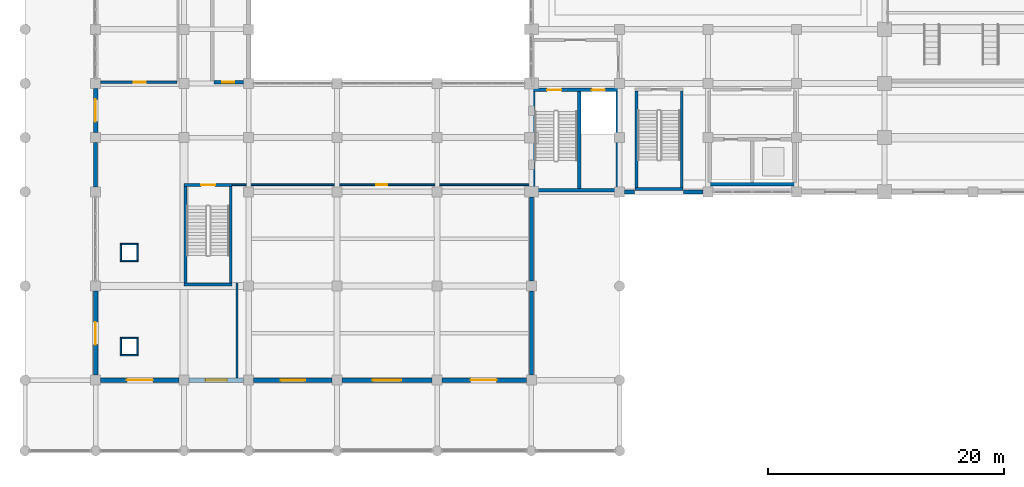
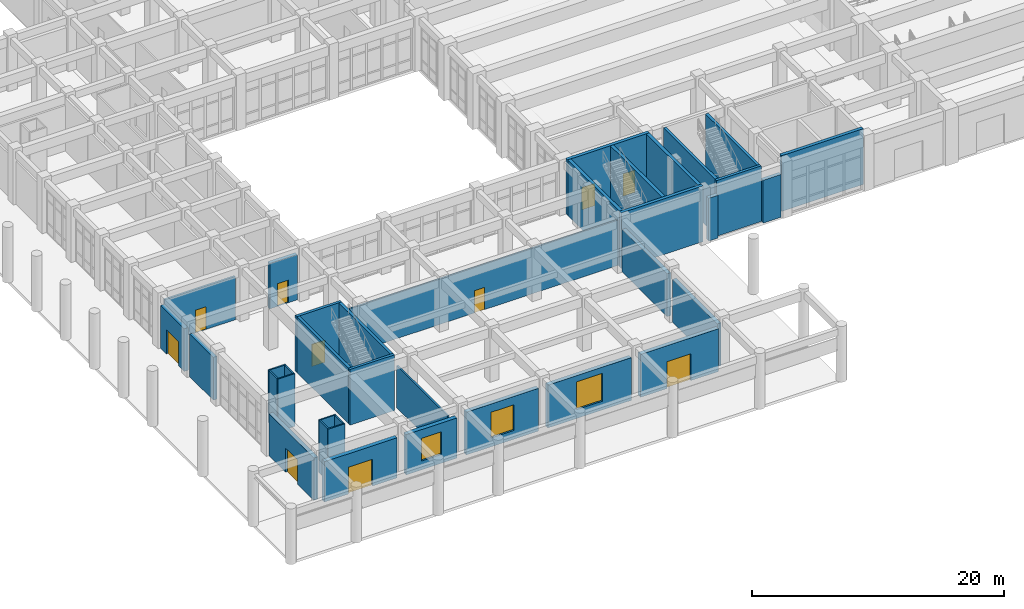
# One storey, part 62 of 84: 37 walls, 10 doors, 3 windows, 13 openings.
"""IFC4 building model written with IfcOpenShell, lengths in metres."""

from ifc_helpers import new_model, si_unit, direction, frame, frame_2d, origin, place, context, subcontext, project, spatial, rectangle, extrude, material, layer, layer_set, type_object, element, fill, save


model = new_model("IFC4")

# Units and contexts
model_context = context("Model", 3, precision=1e-05, world=origin(), true_north=direction((0.0, 1.0)))
body_context = subcontext(model_context, "Body", "Model", "MODEL_VIEW")
ifc_project = project(units=[si_unit("LENGTHUNIT", "METRE"), si_unit("AREAUNIT", "SQUARE_METRE"), si_unit("VOLUMEUNIT", "CUBIC_METRE"), si_unit("PLANEANGLEUNIT", "RADIAN"), si_unit("MASSUNIT", "GRAM", prefix="KILO")], contexts=[model_context])

# Site, building, storey
site_placement = place(None, origin())
site = spatial("IfcSite", under=ifc_project, at=site_placement, CompositionType="ELEMENT")
building_placement = place(site_placement, origin())
building = spatial("IfcBuilding", under=site, at=building_placement, Name="Muzn Square Opera House", CompositionType="ELEMENT")
storey_placement = place(building_placement, origin())
storey = spatial("IfcBuildingStorey", under=building, at=storey_placement, Name="L00", CompositionType="ELEMENT", Elevation=0.0)

# Wall, opening, door
ifc_material_1 = material(Name="Acoustic gypsum stud partition", Category="gypsum")
ifc_layer_1 = layer(ifc_material_1, 0.320068359375, Name="Acoustic gypsum stud partition", Category="gypsum")
ifc_layer_set_1 = layer_set([ifc_layer_1], Name="Acoustic gypsum stud partition")
wall_type_1 = type_object("IfcWallType", Name="Acoustic Studio Double Wall 320mm", PredefinedType="PARTITIONING", material=ifc_layer_set_1)
wall_1_placement = place(storey_placement, frame((16.044921875, 31.300048828125, 0.0), z_axis=(0.0, 0.0, 1.0), x_axis=(1.0, 0.0, 0.0)))
wall_1 = element("IfcWall", 1, at=wall_1_placement, inside=storey, type_object=wall_type_1, Name="Interior Partition PW-L00-0092", PredefinedType="PARTITIONING", context=body_context, shape_type="SweptSolid", body=[
    extrude(rectangle(XDim=2.525146484375, YDim=0.320068359375, at=frame_2d((1.2626953125, 0.0))), origin(), (0.0, 0.0, 1.0), 4.39990234375),
])
opening_1_placement = place(wall_1_placement, frame((0.705078125, 0.0, 0.0)))
opening_1 = element("IfcOpeningElement", 2, at=opening_1_placement, cuts=wall_1, Name="Opening DR-SS10", PredefinedType="OPENING", context=body_context, shape_type="SweptSolid", body=[
    extrude(rectangle(XDim=1.0, YDim=2.199951171875, at=frame_2d((0.5, 1.10009765625))), frame((0.0, 0.169921875, 0.0), z_axis=(0.0, -1.0, 0.0), x_axis=(1.0, 0.0, 0.0)), (0.0, 0.0, 1.0), 0.340087890625),
])
ifc_material_2 = material(Name="Acoustic hardwood leaf", Category="wood")
door_type_1 = type_object("IfcDoorType", Name="Soloist Suite Door 1000x2200", OperationType="NOTDEFINED", PredefinedType="DOOR", material=ifc_material_2)
door_1_placement = place(opening_1_placement, origin())
door_1 = element("IfcDoor", 3, at=door_1_placement, inside=storey, type_object=door_type_1, Name="Soloist Vocal Warm-Up Studio Door DR-L00-0042", OperationType="SINGLE_SWING_LEFT", OverallHeight=2.199951171875, OverallWidth=1.0, PredefinedType="DOOR", context=body_context, shape_type="SweptSolid", body=[
    extrude(rectangle(XDim=1.0, YDim=2.199951171875, at=frame_2d((0.5, 1.10009765625))), frame((0.0, 0.02490234375, 0.0), z_axis=(0.0, -1.0, 0.0), x_axis=(1.0, 0.0, 0.0)), (0.0, 0.0, 1.0), 0.050048828125),
])
fill(opening_1, door_1)

# Walls
ifc_material_3 = material(Name="Concrete C45/55", Category="concrete")
ifc_layer_2 = layer(ifc_material_3, 0.25, Name="Concrete C45/55", Category="concrete")
ifc_layer_set_2 = layer_set([ifc_layer_2], Name="Concrete C45/55")
wall_type_2 = type_object("IfcWallType", Name="Aux Stair Enclosure Wall 250mm", PredefinedType="SHEAR", material=ifc_layer_set_2)
wall_2_placement = place(storey_placement, frame((13.5, 14.125, 0.0), z_axis=(0.0, 0.0, 1.0), x_axis=(1.0, 0.0, 0.0)))
element("IfcWall", 4, at=wall_2_placement, inside=storey, type_object=wall_type_2, Name="Escape Stair ST-7 Wall S L00", PredefinedType="SHEAR", context=body_context, shape_type="SweptSolid", body=[
    extrude(rectangle(XDim=4.10009765625, YDim=0.25, at=frame_2d((2.050048828125, 0.0))), origin(), (0.0, 0.0, 1.0), 5.39990234375),
])
for number, where, z_axis, x_axis, name in (
    (5, (13.625, 14.25, 0.0), (0.0, 0.0, 1.0), (0.0, 1.0, 0.0), "Escape Stair ST-7 Wall W L00"),
    (6, (17.47509765625, 14.25, 0.0), (0.0, 0.0, 1.0), (0.0, 1.0, 0.0), "Escape Stair ST-7 Wall E L00"),
):
    element("IfcWall", number, at=place(storey_placement, frame(where, z_axis=z_axis, x_axis=x_axis)), inside=storey, type_object=wall_type_2, Name=name, PredefinedType="SHEAR", context=body_context, shape_type="SweptSolid", body=[
        extrude(rectangle(XDim=8.199951171875, YDim=0.25, at=frame_2d((4.10009765625, 0.0))), origin(), (0.0, 0.0, 1.0), 5.39990234375),
    ])

# Wall, opening, door
wall_3_placement = place(storey_placement, frame((13.5, 22.574951171875, 0.0), z_axis=(0.0, 0.0, 1.0), x_axis=(1.0, 0.0, 0.0)))
wall_3 = element("IfcWall", 7, at=wall_3_placement, inside=storey, type_object=wall_type_2, Name="Escape Stair ST-7 Wall N L00", PredefinedType="SHEAR", context=body_context, shape_type="SweptSolid", body=[
    extrude(rectangle(XDim=4.10009765625, YDim=0.25, at=frame_2d((2.050048828125, 0.0))), origin(), (0.0, 0.0, 1.0), 5.39990234375),
])
opening_2_placement = place(wall_3_placement, frame((1.449951171875, 0.0, 0.0)))
opening_2 = element("IfcOpeningElement", 8, at=opening_2_placement, cuts=wall_3, Name="Opening DR-ST12", PredefinedType="OPENING", context=body_context, shape_type="SweptSolid", body=[
    extrude(rectangle(XDim=1.199951171875, YDim=2.14990234375, at=frame_2d((0.60009765625, 1.074951171875))), frame((0.0, 0.135009765625, 0.0), z_axis=(0.0, -1.0, 0.0), x_axis=(1.0, 0.0, 0.0)), (0.0, 0.0, 1.0), 0.27001953125),
])
ifc_material_4 = material(Name="Galvanised painted steel leaf", Category="metal")
door_type_2 = type_object("IfcDoorType", Name="Core Stair Fire Door 1200x2150", OperationType="NOTDEFINED", PredefinedType="DOOR", material=ifc_material_4)
door_2_placement = place(opening_2_placement, origin())
door_2 = element("IfcDoor", 9, at=door_2_placement, inside=storey, type_object=door_type_2, Name="Escape Stair ST-7 Door L00", OperationType="SINGLE_SWING_RIGHT", OverallHeight=2.14990234375, OverallWidth=1.199951171875, PredefinedType="DOOR", context=body_context, shape_type="SweptSolid", body=[
    extrude(rectangle(XDim=1.199951171875, YDim=2.14990234375, at=frame_2d((0.60009765625, 1.074951171875))), frame((0.0, 0.02490234375, 0.0), z_axis=(0.0, -1.0, 0.0), x_axis=(1.0, 0.0, 0.0)), (0.0, 0.0, 1.0), 0.050048828125),
])
fill(opening_2, door_2)

# Walls
wall_4_placement = place(storey_placement, frame((51.800048828125, 22.22509765625, 0.0), z_axis=(0.0, 0.0, 1.0), x_axis=(1.0, 0.0, 0.0)))
element("IfcWall", 10, at=wall_4_placement, inside=storey, type_object=wall_type_2, Name="Escape Stair ST-11 Wall S L00", PredefinedType="SHEAR", context=body_context, shape_type="SweptSolid", body=[
    extrude(rectangle(XDim=4.099853515625, YDim=0.25, at=frame_2d((2.0498046875, 0.0))), origin(), (0.0, 0.0, 1.0), 5.39990234375),
])
for number, where, z_axis, x_axis, name in (
    (11, (51.925048828125, 22.35009765625, 0.0), (0.0, 0.0, 1.0), (0.0, 1.0, 0.0), "Escape Stair ST-11 Wall W L00"),
    (12, (55.77490234375, 22.35009765625, 0.0), (0.0, 0.0, 1.0), (0.0, 1.0, 0.0), "Escape Stair ST-11 Wall E L00"),
):
    element("IfcWall", number, at=place(storey_placement, frame(where, z_axis=z_axis, x_axis=x_axis)), inside=storey, type_object=wall_type_2, Name=name, PredefinedType="SHEAR", context=body_context, shape_type="SweptSolid", body=[
        extrude(rectangle(XDim=8.199951171875, YDim=0.25, at=frame_2d((4.10009765625, 0.0))), origin(), (0.0, 0.0, 1.0), 5.39990234375),
    ])
ifc_layer_3 = layer(ifc_material_3, 0.300048828125, Name="Concrete C45/55", Category="concrete")
ifc_layer_set_3 = layer_set([ifc_layer_3], Name="Concrete C45/55")
wall_type_3 = type_object("IfcWallType", Name="Core Shear Wall 300mm", PredefinedType="SHEAR", material=ifc_layer_set_3)
wall_5_placement = place(storey_placement, frame((43.0, 22.14990234375, 0.0), z_axis=(0.0, 0.0, 1.0), x_axis=(1.0, 0.0, 0.0)))
element("IfcWall", 13, at=wall_5_placement, inside=storey, type_object=wall_type_3, Name="Core C3 Shear Wall SW-C3-L00-S", PredefinedType="SHEAR", context=body_context, shape_type="SweptSolid", body=[
    extrude(rectangle(XDim=7.5, YDim=0.300048828125, at=frame_2d((3.75, 0.0))), origin(), (0.0, 0.0, 1.0), 5.39990234375),
])
for number, where, z_axis, x_axis, name in (
    (14, (43.14990234375, 22.300048828125, 0.0), (0.0, 0.0, 1.0), (0.0, 1.0, 0.0), "Core C3 Shear Wall SW-C3-L00-W"),
    (15, (50.35009765625, 22.300048828125, 0.0), (0.0, 0.0, 1.0), (0.0, 1.0, 0.0), "Core C3 Shear Wall SW-C3-L00-E"),
    (16, (47.050048828125, 22.300048828125, 0.0), (0.0, 0.0, 1.0), (0.0, 1.0, 0.0), "Core C3 Shear Wall SW-C3-L00-DIV"),
):
    element("IfcWall", number, at=place(storey_placement, frame(where, z_axis=z_axis, x_axis=x_axis)), inside=storey, type_object=wall_type_3, Name=name, PredefinedType="SHEAR", context=body_context, shape_type="SweptSolid", body=[
        extrude(rectangle(XDim=8.199951171875, YDim=0.300048828125, at=frame_2d((4.10009765625, 0.0))), origin(), (0.0, 0.0, 1.0), 5.39990234375),
    ])
wall_6_placement = place(storey_placement, frame((58.0, 22.64990234375, 0.0), z_axis=(0.0, 0.0, 1.0), x_axis=(1.0, 0.0, 0.0)))
element("IfcWall", 17, at=wall_6_placement, inside=storey, type_object=wall_type_3, Name="Lift Bank LBW Shear Wall SW-LBW-L00-S", PredefinedType="SHEAR", context=body_context, shape_type="SweptSolid", body=[
    extrude(rectangle(XDim=7.5, YDim=0.300048828125, at=frame_2d((3.75, 0.0))), origin(), (0.0, 0.0, 1.0), 5.39990234375),
])

# Wall, openings, doors
wall_7_placement = place(storey_placement, frame((43.0, 30.64990234375, 0.0), z_axis=(0.0, 0.0, 1.0), x_axis=(1.0, 0.0, 0.0)))
wall_7 = element("IfcWall", 18, at=wall_7_placement, inside=storey, type_object=wall_type_3, Name="Core C3 Front Shear Wall L00", PredefinedType="SHEAR", context=body_context, shape_type="SweptSolid", body=[
    extrude(rectangle(XDim=7.5, YDim=0.300048828125, at=frame_2d((3.75, 0.0))), origin(), (0.0, 0.0, 1.0), 5.39990234375),
])
opening_3_placement = place(wall_7_placement, frame((1.35009765625, 0.0, 0.0)))
opening_3 = element("IfcOpeningElement", 19, at=opening_3_placement, cuts=wall_7, Name="Opening DR-ST12", PredefinedType="OPENING", context=body_context, shape_type="SweptSolid", body=[
    extrude(rectangle(XDim=1.199951171875, YDim=2.14990234375, at=frame_2d((0.60009765625, 1.074951171875))), frame((0.0, 0.159912109375, 0.0), z_axis=(0.0, -1.0, 0.0), x_axis=(1.0, 0.0, 0.0)), (0.0, 0.0, 1.0), 0.320068359375),
])
opening_4_placement = place(wall_7_placement, frame((5.14990234375, 0.0, 0.0)))
opening_4 = element("IfcOpeningElement", 20, at=opening_4_placement, cuts=wall_7, Name="Opening LD-01", PredefinedType="OPENING", context=body_context, shape_type="SweptSolid", body=[
    extrude(rectangle(XDim=1.10009765625, YDim=2.14990234375, at=frame_2d((0.550048828125, 1.074951171875))), frame((0.0, 0.159912109375, 0.0), z_axis=(0.0, -1.0, 0.0), x_axis=(1.0, 0.0, 0.0)), (0.0, 0.0, 1.0), 0.320068359375),
])
door_3_placement = place(opening_3_placement, origin())
door_3 = element("IfcDoor", 21, at=door_3_placement, inside=storey, type_object=door_type_2, Name="Core C3 Stair Door L00", OperationType="SINGLE_SWING_LEFT", OverallHeight=2.14990234375, OverallWidth=1.199951171875, PredefinedType="DOOR", context=body_context, shape_type="SweptSolid", body=[
    extrude(rectangle(XDim=1.199951171875, YDim=2.14990234375, at=frame_2d((0.60009765625, 1.074951171875))), frame((0.0, 0.02490234375, 0.0), z_axis=(0.0, -1.0, 0.0), x_axis=(1.0, 0.0, 0.0)), (0.0, 0.0, 1.0), 0.050048828125),
])
fill(opening_3, door_3)
ifc_material_5 = material(Name="Brushed stainless steel", Category="metal")
door_type_3 = type_object("IfcDoorType", Name="Lift Landing Sliding Door 1100x2150", OperationType="SLIDING_TO_LEFT", PredefinedType="DOOR", material=ifc_material_5)
door_4_placement = place(opening_4_placement, origin())
door_4 = element("IfcDoor", 22, at=door_4_placement, inside=storey, type_object=door_type_3, Name="Lift PL-1 Sliding Landing Door L00", OperationType="SLIDING_TO_LEFT", OverallHeight=2.14990234375, OverallWidth=1.10009765625, PredefinedType="DOOR", context=body_context, shape_type="SweptSolid", body=[
    extrude(rectangle(XDim=1.10009765625, YDim=2.14990234375, at=frame_2d((0.550048828125, 1.074951171875))), frame((0.0, 0.02490234375, 0.0), z_axis=(0.0, -1.0, 0.0), x_axis=(1.0, 0.0, 0.0)), (0.0, 0.0, 1.0), 0.050048828125),
])
fill(opening_4, door_4)

# Wall, opening, door
ifc_layer_4 = layer(ifc_material_1, 0.179931640625, Name="Acoustic gypsum stud partition", Category="gypsum")
ifc_layer_set_4 = layer_set([ifc_layer_4], Name="Acoustic gypsum stud partition")
wall_type_4 = type_object("IfcWallType", Name="Dressing Suite Partition 180mm", PredefinedType="PARTITIONING", material=ifc_layer_set_4)
wall_8_placement = place(storey_placement, frame((6.429931640625, 31.300048828125, 0.0), z_axis=(0.0, 0.0, 1.0), x_axis=(1.0, 0.0, 0.0)))
wall_8 = element("IfcWall", 23, at=wall_8_placement, inside=storey, type_object=wall_type_4, Name="Interior Partition PW-L00-0090", PredefinedType="PARTITIONING", context=body_context, shape_type="SweptSolid", body=[
    extrude(rectangle(XDim=6.4951171875, YDim=0.179931640625, at=frame_2d((3.24755859375, 0.0))), origin(), (0.0, 0.0, 1.0), 4.199951171875),
])
opening_5_placement = place(wall_8_placement, frame((2.820068359375, 0.0, 0.0)))
opening_5 = element("IfcOpeningElement", 24, at=opening_5_placement, cuts=wall_8, Name="Opening DR-SS10", PredefinedType="OPENING", context=body_context, shape_type="SweptSolid", body=[
    extrude(rectangle(XDim=1.0, YDim=2.199951171875, at=frame_2d((0.5, 1.10009765625))), frame((0.0, 0.099853515625, 0.0), z_axis=(0.0, -1.0, 0.0), x_axis=(1.0, 0.0, 0.0)), (0.0, 0.0, 1.0), 0.199951171875),
])
door_5_placement = place(opening_5_placement, origin())
door_5 = element("IfcDoor", 25, at=door_5_placement, inside=storey, type_object=door_type_1, Name="Conductor Suite and Music Room Door DR-L00-0040", OperationType="SINGLE_SWING_LEFT", OverallHeight=2.199951171875, OverallWidth=1.0, PredefinedType="DOOR", context=body_context, shape_type="SweptSolid", body=[
    extrude(rectangle(XDim=1.0, YDim=2.199951171875, at=frame_2d((0.5, 1.10009765625))), frame((0.0, 0.02490234375, 0.0), z_axis=(0.0, -1.0, 0.0), x_axis=(1.0, 0.0, 0.0)), (0.0, 0.0, 1.0), 0.050048828125),
])
fill(opening_5, door_5)

# Walls
ifc_material_6 = material(Name="Concrete C40/50", Category="concrete")
ifc_layer_5 = layer(ifc_material_6, 0.340087890625, Name="Concrete C40/50", Category="concrete")
ifc_layer_set_5 = layer_set([ifc_layer_5], Name="Concrete C40/50")
wall_type_5 = type_object("IfcWallType", Name="Exterior Insulated Spandrel Wall 340mm", PredefinedType="SOLIDWALL", material=ifc_layer_set_5)
wall_9_placement = place(storey_placement, frame((43.0, 6.425048828125, 0.0), z_axis=(0.0, 0.0, 1.0), x_axis=(0.0, 1.0, 0.0)))
element("IfcWall", 26, at=wall_9_placement, inside=storey, type_object=wall_type_5, Name="Exterior Facade Wall EW-L00-133", PredefinedType="SOLIDWALL", context=body_context, shape_type="SweptSolid", body=[
    extrude(rectangle(XDim=7.14990234375, YDim=0.340087890625, at=frame_2d((3.574951171875, 0.0))), origin(), (0.0, 0.0, 1.0), 4.14990234375),
])
wall_10_placement = place(storey_placement, frame((43.0, 14.425048828125, 0.0), z_axis=(0.0, 0.0, 1.0), x_axis=(0.0, 1.0, 0.0)))
element("IfcWall", 27, at=wall_10_placement, inside=storey, type_object=wall_type_5, Name="Exterior Facade Wall EW-L00-134", PredefinedType="SOLIDWALL", context=body_context, shape_type="SweptSolid", body=[
    extrude(rectangle(XDim=7.125, YDim=0.340087890625, at=frame_2d((3.5625, 0.0))), origin(), (0.0, 0.0, 1.0), 4.14990234375),
])
wall_11_placement = place(storey_placement, frame((6.0, 22.425048828125, 0.0), z_axis=(0.0, 0.0, 1.0), x_axis=(0.0, 1.0, 0.0)))
element("IfcWall", 28, at=wall_11_placement, inside=storey, type_object=wall_type_5, Name="Exterior Facade Wall EW-L00-135", PredefinedType="SOLIDWALL", context=body_context, shape_type="SweptSolid", body=[
    extrude(rectangle(XDim=3.75, YDim=0.340087890625, at=frame_2d((1.875, 0.0))), origin(), (0.0, 0.0, 1.0), 4.14990234375),
])
wall_12_placement = place(storey_placement, frame((50.925048828125, 22.0, 0.0), z_axis=(0.0, 0.0, 1.0), x_axis=(1.0, 0.0, 0.0)))
element("IfcWall", 29, at=wall_12_placement, inside=storey, type_object=wall_type_5, Name="Exterior Facade Wall EW-L00-131", PredefinedType="SOLIDWALL", context=body_context, shape_type="SweptSolid", body=[
    extrude(rectangle(XDim=0.85498046875, YDim=0.340087890625, at=frame_2d((0.427490234375, 0.0))), origin(), (0.0, 0.0, 1.0), 4.14990234375),
])
wall_13_placement = place(storey_placement, frame((55.919921875, 22.0, 0.0), z_axis=(0.0, 0.0, 1.0), x_axis=(1.0, 0.0, 0.0)))
element("IfcWall", 30, at=wall_13_placement, inside=storey, type_object=wall_type_5, Name="Exterior Facade Wall EW-L00-131", PredefinedType="SOLIDWALL", context=body_context, shape_type="SweptSolid", body=[
    extrude(rectangle(XDim=1.655029296875, YDim=0.340087890625, at=frame_2d((0.82763671875, 0.0))), origin(), (0.0, 0.0, 1.0), 4.14990234375),
])

# Wall, opening, door
ifc_layer_6 = layer(ifc_material_6, 0.3798828125, Name="Concrete C40/50", Category="concrete")
ifc_layer_set_6 = layer_set([ifc_layer_6], Name="Concrete C40/50")
wall_type_6 = type_object("IfcWallType", Name="Exterior Limestone Wall 380mm", PredefinedType="SOLIDWALL", material=ifc_layer_set_6)
wall_14_placement = place(storey_placement, frame((6.425048828125, 6.0, 0.0), z_axis=(0.0, 0.0, 1.0), x_axis=(1.0, 0.0, 0.0)))
wall_14 = element("IfcWall", 31, at=wall_14_placement, inside=storey, type_object=wall_type_6, Name="Exterior Facade Wall EW-L00-005", PredefinedType="SOLIDWALL", context=body_context, shape_type="SweptSolid", body=[
    extrude(rectangle(XDim=6.64990234375, YDim=0.3798828125, at=frame_2d((3.324951171875, 0.0))), origin(), (0.0, 0.0, 1.0), 3.89990234375),
])
opening_6_placement = place(wall_14_placement, frame((4.425048828125, 0.0, 0.0), z_axis=(0.0, 0.0, 1.0), x_axis=(-1.0, 0.0, 0.0)))
opening_6 = element("IfcOpeningElement", 32, at=opening_6_placement, cuts=wall_14, Name="Opening DR-EX22", PredefinedType="OPENING", context=body_context, shape_type="SweptSolid", body=[
    extrude(rectangle(XDim=2.199951171875, YDim=2.60009765625, at=frame_2d((1.10009765625, 1.300048828125))), frame((0.0, 0.199951171875, 0.0), z_axis=(0.0, -1.0, 0.0), x_axis=(1.0, 0.0, 0.0)), (0.0, 0.0, 1.0), 0.39990234375),
])
ifc_material_7 = material(Name="Anodised bronze aluminium", Category="metal")
door_type_4 = type_object("IfcDoorType", Name="Ceremonial Foyer Exit Door 2200x2600", OperationType="DOUBLE_DOOR_SINGLE_SWING", PredefinedType="DOOR", material=ifc_material_7)
door_6_placement = place(opening_6_placement, origin())
door_6 = element("IfcDoor", 33, at=door_6_placement, inside=storey, type_object=door_type_4, Name="South-West Square Final Exit Door E-SW0", OperationType="DOUBLE_DOOR_SINGLE_SWING", OverallHeight=2.60009765625, OverallWidth=2.199951171875, PredefinedType="DOOR", context=body_context, shape_type="SweptSolid", body=[
    extrude(rectangle(XDim=2.199951171875, YDim=2.60009765625, at=frame_2d((1.10009765625, 1.300048828125))), frame((0.0, 0.02490234375, 0.0), z_axis=(0.0, -1.0, 0.0), x_axis=(1.0, 0.0, 0.0)), (0.0, 0.0, 1.0), 0.050048828125),
])
fill(opening_6, door_6)

# Wall, opening, window
wall_15_placement = place(storey_placement, frame((13.925048828125, 6.0, 0.0), z_axis=(0.0, 0.0, 1.0), x_axis=(1.0, 0.0, 0.0)))
wall_15 = element("IfcWall", 34, at=wall_15_placement, inside=storey, type_object=wall_type_6, Name="Exterior Facade Wall EW-L00-006", PredefinedType="SOLIDWALL", context=body_context, shape_type="SweptSolid", body=[
    extrude(rectangle(XDim=4.64990234375, YDim=0.3798828125, at=frame_2d((2.324951171875, 0.0))), origin(), (0.0, 0.0, 1.0), 3.89990234375),
])
opening_7_placement = place(wall_15_placement, frame((1.425048828125, 0.0, 0.85009765625)))
opening_7 = element("IfcOpeningElement", 35, at=opening_7_placement, cuts=wall_15, Name="Opening WN-A1822", PredefinedType="OPENING", context=body_context, shape_type="SweptSolid", body=[
    extrude(rectangle(XDim=1.800048828125, YDim=2.199951171875, at=frame_2d((0.89990234375, 1.10009765625))), frame((0.0, 0.199951171875, 0.0), z_axis=(0.0, -1.0, 0.0), x_axis=(1.0, 0.0, 0.0)), (0.0, 0.0, 1.0), 0.39990234375),
])
ifc_material_8 = material(Name="Low-E laminated acoustic double glazing", Category="glass")
window_type_1 = type_object("IfcWindowType", Name="Soloist Suite Window 1800x2200", PartitioningType="DOUBLE_PANEL_VERTICAL", PredefinedType="WINDOW", material=ifc_material_8)
window_1_placement = place(opening_7_placement, origin())
window_1 = element("IfcWindow", 36, at=window_1_placement, inside=storey, type_object=window_type_1, Name="Soloist Suite Window 1800x2200 EW-L00-006-WN01", OverallHeight=2.199951171875, OverallWidth=1.800048828125, PartitioningType="SINGLE_PANEL", PredefinedType="WINDOW", context=body_context, shape_type="SweptSolid", body=[
    extrude(rectangle(XDim=1.800048828125, YDim=2.199951171875, at=frame_2d((0.89990234375, 1.10009765625))), frame((0.0, 0.030029296875, 0.0), z_axis=(0.0, -1.0, 0.0), x_axis=(1.0, 0.0, 0.0)), (0.0, 0.0, 1.0), 0.06005859375),
])
fill(opening_7, window_1)

wall_16_placement = place(storey_placement, frame((19.425048828125, 6.0, 0.0), z_axis=(0.0, 0.0, 1.0), x_axis=(1.0, 0.0, 0.0)))
wall_16 = element("IfcWall", 37, at=wall_16_placement, inside=storey, type_object=wall_type_6, Name="Exterior Facade Wall EW-L00-007", PredefinedType="SOLIDWALL", context=body_context, shape_type="SweptSolid", body=[
    extrude(rectangle(XDim=6.64990234375, YDim=0.3798828125, at=frame_2d((3.324951171875, 0.0))), origin(), (0.0, 0.0, 1.0), 4.14990234375),
])
opening_8_placement = place(wall_16_placement, frame((2.27490234375, 0.0, 0.85009765625)))
opening_8 = element("IfcOpeningElement", 38, at=opening_8_placement, cuts=wall_16, Name="Opening WN-V2125", PredefinedType="OPENING", context=body_context, shape_type="SweptSolid", body=[
    extrude(rectangle(XDim=2.10009765625, YDim=2.5, at=frame_2d((1.050048828125, 1.25))), frame((0.0, 0.199951171875, 0.0), z_axis=(0.0, -1.0, 0.0), x_axis=(1.0, 0.0, 0.0)), (0.0, 0.0, 1.0), 0.39990234375),
])
window_type_2 = type_object("IfcWindowType", Name="VIP Salon Window 2100x2500", PartitioningType="DOUBLE_PANEL_VERTICAL", PredefinedType="WINDOW", material=ifc_material_8)
window_2_placement = place(opening_8_placement, origin())
window_2 = element("IfcWindow", 39, at=window_2_placement, inside=storey, type_object=window_type_2, Name="VIP Salon Window 2100x2500 EW-L00-007-WN01", OverallHeight=2.5, OverallWidth=2.10009765625, PartitioningType="SINGLE_PANEL", PredefinedType="WINDOW", context=body_context, shape_type="SweptSolid", body=[
    extrude(rectangle(XDim=2.10009765625, YDim=2.5, at=frame_2d((1.050048828125, 1.25))), frame((0.0, 0.030029296875, 0.0), z_axis=(0.0, -1.0, 0.0), x_axis=(1.0, 0.0, 0.0)), (0.0, 0.0, 1.0), 0.06005859375),
])
fill(opening_8, window_2)

wall_17_placement = place(storey_placement, frame((26.925048828125, 6.0, 0.0), z_axis=(0.0, 0.0, 1.0), x_axis=(1.0, 0.0, 0.0)))
wall_17 = element("IfcWall", 40, at=wall_17_placement, inside=storey, type_object=wall_type_6, Name="Exterior Facade Wall EW-L00-008", PredefinedType="SOLIDWALL", context=body_context, shape_type="SweptSolid", body=[
    extrude(rectangle(XDim=7.64990234375, YDim=0.3798828125, at=frame_2d((3.824951171875, 0.0))), origin(), (0.0, 0.0, 1.0), 4.14990234375),
])
opening_9_placement = place(wall_17_placement, frame((2.625, 0.0, 0.85009765625)))
opening_9 = element("IfcOpeningElement", 41, at=opening_9_placement, cuts=wall_17, Name="Opening WN-F2427", PredefinedType="OPENING", context=body_context, shape_type="SweptSolid", body=[
    extrude(rectangle(XDim=2.39990234375, YDim=2.699951171875, at=frame_2d((1.199951171875, 1.35009765625))), frame((0.0, 0.199951171875, 0.0), z_axis=(0.0, -1.0, 0.0), x_axis=(1.0, 0.0, 0.0)), (0.0, 0.0, 1.0), 0.39990234375),
])
window_type_3 = type_object("IfcWindowType", Name="Grand Foyer Window 2400x2700", PartitioningType="DOUBLE_PANEL_VERTICAL", PredefinedType="WINDOW", material=ifc_material_8)
window_3_placement = place(opening_9_placement, origin())
window_3 = element("IfcWindow", 42, at=window_3_placement, inside=storey, type_object=window_type_3, Name="Grand Foyer Window 2400x2700 EW-L00-008-WN01", OverallHeight=2.699951171875, OverallWidth=2.39990234375, PartitioningType="SINGLE_PANEL", PredefinedType="WINDOW", context=body_context, shape_type="SweptSolid", body=[
    extrude(rectangle(XDim=2.39990234375, YDim=2.699951171875, at=frame_2d((1.199951171875, 1.35009765625))), frame((0.0, 0.030029296875, 0.0), z_axis=(0.0, -1.0, 0.0), x_axis=(1.0, 0.0, 0.0)), (0.0, 0.0, 1.0), 0.06005859375),
])
fill(opening_9, window_3)

# Wall, opening, door
wall_18_placement = place(storey_placement, frame((35.425048828125, 6.0, 0.0), z_axis=(0.0, 0.0, 1.0), x_axis=(1.0, 0.0, 0.0)))
wall_18 = element("IfcWall", 43, at=wall_18_placement, inside=storey, type_object=wall_type_6, Name="Exterior Facade Wall EW-L00-009", PredefinedType="SOLIDWALL", context=body_context, shape_type="SweptSolid", body=[
    extrude(rectangle(XDim=7.14990234375, YDim=0.3798828125, at=frame_2d((3.574951171875, 0.0))), origin(), (0.0, 0.0, 1.0), 4.14990234375),
])
opening_10_placement = place(wall_18_placement, frame((4.625, 0.0, 0.0), z_axis=(0.0, 0.0, 1.0), x_axis=(-1.0, 0.0, 0.0)))
opening_10 = element("IfcOpeningElement", 44, at=opening_10_placement, cuts=wall_18, Name="Opening DR-EX22", PredefinedType="OPENING", context=body_context, shape_type="SweptSolid", body=[
    extrude(rectangle(XDim=2.199951171875, YDim=2.60009765625, at=frame_2d((1.10009765625, 1.300048828125))), frame((0.0, 0.199951171875, 0.0), z_axis=(0.0, -1.0, 0.0), x_axis=(1.0, 0.0, 0.0)), (0.0, 0.0, 1.0), 0.39990234375),
])
door_7_placement = place(opening_10_placement, origin())
door_7 = element("IfcDoor", 45, at=door_7_placement, inside=storey, type_object=door_type_4, Name="South-West Square Final Exit Door E-SW4", OperationType="DOUBLE_DOOR_SINGLE_SWING", OverallHeight=2.60009765625, OverallWidth=2.199951171875, PredefinedType="DOOR", context=body_context, shape_type="SweptSolid", body=[
    extrude(rectangle(XDim=2.199951171875, YDim=2.60009765625, at=frame_2d((1.10009765625, 1.300048828125))), frame((0.0, 0.02490234375, 0.0), z_axis=(0.0, -1.0, 0.0), x_axis=(1.0, 0.0, 0.0)), (0.0, 0.0, 1.0), 0.050048828125),
])
fill(opening_10, door_7)

wall_19_placement = place(storey_placement, frame((6.0, 27.02490234375, 0.0), z_axis=(0.0, 0.0, 1.0), x_axis=(0.0, 1.0, 0.0)))
wall_19 = element("IfcWall", 46, at=wall_19_placement, inside=storey, type_object=wall_type_6, Name="Exterior Facade Wall EW-L00-025", PredefinedType="SOLIDWALL", context=body_context, shape_type="SweptSolid", body=[
    extrude(rectangle(XDim=3.75, YDim=0.3798828125, at=frame_2d((1.875, 0.0))), origin(), (0.0, 0.0, 1.0), 4.14990234375),
])
opening_11_placement = place(wall_19_placement, frame((0.925048828125, 0.0, 0.0)))
opening_11 = element("IfcOpeningElement", 47, at=opening_11_placement, cuts=wall_19, Name="Opening DR-EX19", PredefinedType="OPENING", context=body_context, shape_type="SweptSolid", body=[
    extrude(rectangle(XDim=1.89990234375, YDim=2.35009765625, at=frame_2d((0.949951171875, 1.175048828125))), frame((0.0, 0.199951171875, 0.0), z_axis=(0.0, -1.0, 0.0), x_axis=(1.0, 0.0, 0.0)), (0.0, 0.0, 1.0), 0.39990234375),
])
door_type_5 = type_object("IfcDoorType", Name="Pedestrian Final Exit Door 1900x2350", OperationType="DOUBLE_DOOR_SINGLE_SWING", PredefinedType="DOOR", material=ifc_material_7)
door_8_placement = place(opening_11_placement, origin())
door_8 = element("IfcDoor", 48, at=door_8_placement, inside=storey, type_object=door_type_5, Name="West Pavilion Corridor Final Exit E-WB03", OperationType="DOUBLE_DOOR_SINGLE_SWING", OverallHeight=2.35009765625, OverallWidth=1.89990234375, PredefinedType="DOOR", context=body_context, shape_type="SweptSolid", body=[
    extrude(rectangle(XDim=1.89990234375, YDim=2.35009765625, at=frame_2d((0.949951171875, 1.175048828125))), frame((0.0, 0.02490234375, 0.0), z_axis=(0.0, -1.0, 0.0), x_axis=(1.0, 0.0, 0.0)), (0.0, 0.0, 1.0), 0.050048828125),
])
fill(opening_11, door_8)

wall_20_placement = place(storey_placement, frame((6.0, 6.425048828125, 0.0), z_axis=(0.0, 0.0, 1.0), x_axis=(0.0, 1.0, 0.0)))
wall_20 = element("IfcWall", 49, at=wall_20_placement, inside=storey, type_object=wall_type_6, Name="Exterior Facade Wall EW-L00-075", PredefinedType="SOLIDWALL", context=body_context, shape_type="SweptSolid", body=[
    extrude(rectangle(XDim=7.14990234375, YDim=0.3798828125, at=frame_2d((3.574951171875, 0.0))), origin(), (0.0, 0.0, 1.0), 4.10009765625),
])
opening_12_placement = place(wall_20_placement, frame((2.60498046875, 0.0, 0.0)))
opening_12 = element("IfcOpeningElement", 50, at=opening_12_placement, cuts=wall_20, Name="Opening DR-EX19", PredefinedType="OPENING", context=body_context, shape_type="SweptSolid", body=[
    extrude(rectangle(XDim=1.89990234375, YDim=2.35009765625, at=frame_2d((0.949951171875, 1.175048828125))), frame((0.0, 0.199951171875, 0.0), z_axis=(0.0, -1.0, 0.0), x_axis=(1.0, 0.0, 0.0)), (0.0, 0.0, 1.0), 0.39990234375),
])
door_9_placement = place(opening_12_placement, origin())
door_9 = element("IfcDoor", 51, at=door_9_placement, inside=storey, type_object=door_type_5, Name="West Boulevard Final Exit Door E-WB01", OperationType="DOUBLE_DOOR_SINGLE_SWING", OverallHeight=2.35009765625, OverallWidth=1.89990234375, PredefinedType="DOOR", context=body_context, shape_type="SweptSolid", body=[
    extrude(rectangle(XDim=1.89990234375, YDim=2.35009765625, at=frame_2d((0.949951171875, 1.175048828125))), frame((0.0, 0.02490234375, 0.0), z_axis=(0.0, -1.0, 0.0), x_axis=(1.0, 0.0, 0.0)), (0.0, 0.0, 1.0), 0.050048828125),
])
fill(opening_12, door_9)

ifc_layer_7 = layer(ifc_material_1, 0.14990234375, Name="Acoustic gypsum stud partition", Category="gypsum")
ifc_layer_set_7 = layer_set([ifc_layer_7], Name="Acoustic gypsum stud partition")
wall_type_7 = type_object("IfcWallType", Name="Office Acoustic Partition 150mm", PredefinedType="PARTITIONING", material=ifc_layer_set_7)
wall_21_placement = place(storey_placement, frame((17.60498046875, 22.60009765625, 0.0), z_axis=(0.0, 0.0, 1.0), x_axis=(1.0, 0.0, 0.0)))
wall_21 = element("IfcWall", 52, at=wall_21_placement, inside=storey, type_object=wall_type_7, Name="Interior Partition PW-L00-0094", PredefinedType="PARTITIONING", context=body_context, shape_type="SweptSolid", body=[
    extrude(rectangle(XDim=25.39013671875, YDim=0.14990234375, at=frame_2d((12.695068359375, 0.0))), origin(), (0.0, 0.0, 1.0), 4.39990234375),
])
opening_13_placement = place(wall_21_placement, frame((12.219970703125, 0.0, 0.0)))
opening_13 = element("IfcOpeningElement", 53, at=opening_13_placement, cuts=wall_21, Name="Opening DR-OF95", PredefinedType="OPENING", context=body_context, shape_type="SweptSolid", body=[
    extrude(rectangle(XDim=0.949951171875, YDim=2.14990234375, at=frame_2d((0.47509765625, 1.074951171875))), frame((0.0, 0.0849609375, 0.0), z_axis=(0.0, -1.0, 0.0), x_axis=(1.0, 0.0, 0.0)), (0.0, 0.0, 1.0), 0.169921875),
])
door_type_6 = type_object("IfcDoorType", Name="Office Room Door 950x2150", OperationType="NOTDEFINED", PredefinedType="DOOR", material=ifc_material_2)
door_10_placement = place(opening_13_placement, origin())
door_10 = element("IfcDoor", 54, at=door_10_placement, inside=storey, type_object=door_type_6, Name="VIP Reception Salon Door DR-L00-0044", OperationType="SINGLE_SWING_LEFT", OverallHeight=2.14990234375, OverallWidth=0.949951171875, PredefinedType="DOOR", context=body_context, shape_type="SweptSolid", body=[
    extrude(rectangle(XDim=0.949951171875, YDim=2.14990234375, at=frame_2d((0.47509765625, 1.074951171875))), frame((0.0, 0.02490234375, 0.0), z_axis=(0.0, -1.0, 0.0), x_axis=(1.0, 0.0, 0.0)), (0.0, 0.0, 1.0), 0.050048828125),
])
fill(opening_13, door_10)

# Walls
wall_22_placement = place(storey_placement, frame((18.0, 6.195068359375, 0.0), z_axis=(0.0, 0.0, 1.0), x_axis=(0.0, 1.0, 0.0)))
element("IfcWall", 55, at=wall_22_placement, inside=storey, type_object=wall_type_7, Name="Room Enclosure Partition PW-L00-0144", PredefinedType="PARTITIONING", context=body_context, shape_type="SweptSolid", body=[
    extrude(rectangle(XDim=8.054931640625, YDim=0.14990234375, at=frame_2d((4.02734375, 0.0))), origin(), (0.0, 0.0, 1.0), 4.10009765625),
])
ifc_layer_8 = layer(ifc_material_1, 0.1298828125, Name="Acoustic gypsum stud partition", Category="gypsum")
ifc_layer_set_8 = layer_set([ifc_layer_8], Name="Acoustic gypsum stud partition")
wall_type_8 = type_object("IfcWallType", Name="Service Closet Partition 130mm", PredefinedType="PARTITIONING", material=ifc_layer_set_8)
for number, where, z_axis, x_axis, name in (
    (56, (8.070068359375, 8.135009765625, 0.0), (0.0, 0.0, 1.0), (1.0, 0.0, 0.0), "MEP Riser Shaft Wall RSR-WS L00-S"),
    (57, (8.070068359375, 9.56494140625, 0.0), (0.0, 0.0, 1.0), (1.0, 0.0, 0.0), "MEP Riser Shaft Wall RSR-WS L00-N"),
):
    element("IfcWall", number, at=place(storey_placement, frame(where, z_axis=z_axis, x_axis=x_axis)), inside=storey, type_object=wall_type_8, Name=name, PredefinedType="PARTITIONING", context=body_context, shape_type="SweptSolid", body=[
        extrude(rectangle(XDim=1.559814453125, YDim=0.1298828125, at=frame_2d((0.77978515625, 0.0))), origin(), (0.0, 0.0, 1.0), 5.10009765625),
    ])
for number, where, z_axis, x_axis, name in (
    (58, (8.135009765625, 8.199951171875, 0.0), (0.0, 0.0, 1.0), (0.0, 1.0, 0.0), "MEP Riser Shaft Wall RSR-WS L00-W"),
    (59, (9.56494140625, 8.199951171875, 0.0), (0.0, 0.0, 1.0), (0.0, 1.0, 0.0), "MEP Riser Shaft Wall RSR-WS L00-E"),
):
    element("IfcWall", number, at=place(storey_placement, frame(where, z_axis=z_axis, x_axis=x_axis)), inside=storey, type_object=wall_type_8, Name=name, PredefinedType="PARTITIONING", context=body_context, shape_type="SweptSolid", body=[
        extrude(rectangle(XDim=1.300048828125, YDim=0.1298828125, at=frame_2d((0.64990234375, 0.0))), origin(), (0.0, 0.0, 1.0), 5.10009765625),
    ])
for number, where, z_axis, x_axis, name in (
    (60, (8.070068359375, 16.135009765625, 0.0), (0.0, 0.0, 1.0), (1.0, 0.0, 0.0), "MEP Riser Shaft Wall RSR-WN L00-S"),
    (61, (8.070068359375, 17.56494140625, 0.0), (0.0, 0.0, 1.0), (1.0, 0.0, 0.0), "MEP Riser Shaft Wall RSR-WN L00-N"),
):
    element("IfcWall", number, at=place(storey_placement, frame(where, z_axis=z_axis, x_axis=x_axis)), inside=storey, type_object=wall_type_8, Name=name, PredefinedType="PARTITIONING", context=body_context, shape_type="SweptSolid", body=[
        extrude(rectangle(XDim=1.559814453125, YDim=0.1298828125, at=frame_2d((0.77978515625, 0.0))), origin(), (0.0, 0.0, 1.0), 5.10009765625),
    ])
for number, where, z_axis, x_axis, name in (
    (62, (8.135009765625, 16.199951171875, 0.0), (0.0, 0.0, 1.0), (0.0, 1.0, 0.0), "MEP Riser Shaft Wall RSR-WN L00-W"),
    (63, (9.56494140625, 16.199951171875, 0.0), (0.0, 0.0, 1.0), (0.0, 1.0, 0.0), "MEP Riser Shaft Wall RSR-WN L00-E"),
):
    element("IfcWall", number, at=place(storey_placement, frame(where, z_axis=z_axis, x_axis=x_axis)), inside=storey, type_object=wall_type_8, Name=name, PredefinedType="PARTITIONING", context=body_context, shape_type="SweptSolid", body=[
        extrude(rectangle(XDim=1.300048828125, YDim=0.1298828125, at=frame_2d((0.64990234375, 0.0))), origin(), (0.0, 0.0, 1.0), 5.10009765625),
    ])

save(model, "model.ifc")
